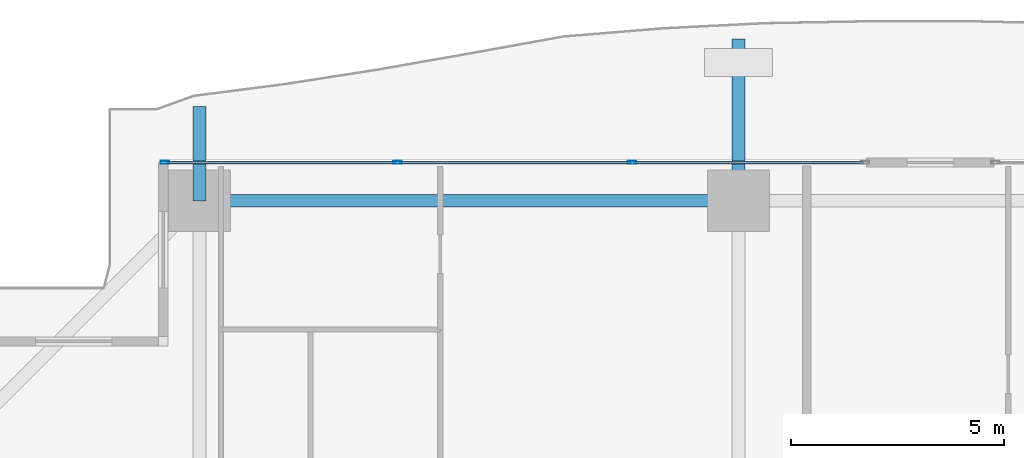
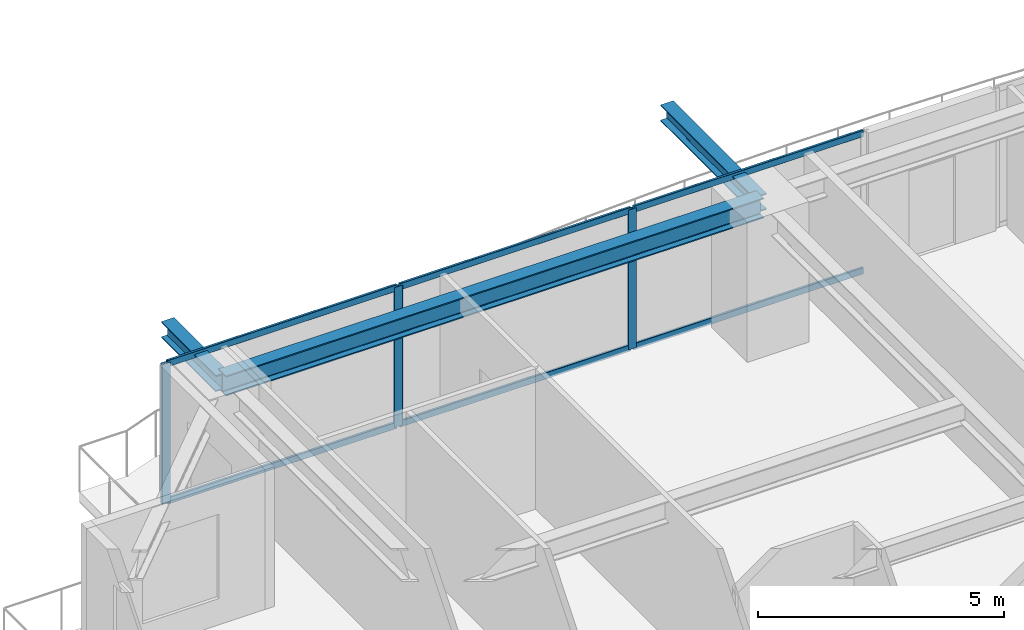
# One storey, part 20 of 38: 9 members, 3 beams, 1 element without a shape of its own.
"""IFC4 building model written with IfcOpenShell, lengths in metres."""

from ifc_helpers import new_model, si_unit, direction, frame, origin, origin_2d, place, context, subcontext, project, spatial, hollow_rectangle, i_section, extrude, source, transform, mapped, material, layer, layer_set, material_profile, profile_set, type_object, element, aggregate, save


model = new_model("IFC4")

# Units and contexts
model_context = context("Model", 3, precision=1e-05, world=origin(), true_north=direction((0.0, 1.0)))
body_context = subcontext(model_context, "Body", "Model", "MODEL_VIEW")
ifc_project = project(units=[si_unit("LENGTHUNIT", "METRE"), si_unit("AREAUNIT", "SQUARE_METRE"), si_unit("VOLUMEUNIT", "CUBIC_METRE"), si_unit("PLANEANGLEUNIT", "RADIAN"), si_unit("MASSUNIT", "GRAM", prefix="KILO")], contexts=[model_context])

# Site, building, storey
site_placement = place(None, origin())
site = spatial("IfcSite", under=ifc_project, at=site_placement, CompositionType="ELEMENT")
building_placement = place(site_placement, origin())
building = spatial("IfcBuilding", under=site, at=building_placement, Name="Serunith Strait Residences", CompositionType="ELEMENT")
storey_placement = place(building_placement, frame((0.0, 0.0, 82.949951171875)))
storey = spatial("IfcBuildingStorey", under=building, at=storey_placement, Name="L20", CompositionType="ELEMENT", Elevation=82.949951171875)

# Beams
ifc_material_1 = material(Name="Steel S355J2", Category="steel")
ifc_material_profile_1 = material_profile(ifc_material_1, i_section(OverallWidth=0.300048828125, OverallDepth=0.5, WebThickness=0.014404296875, FlangeThickness=0.028076171875, FilletRadius=0.027099609375, at=origin_2d()), Name="HEB 500")
ifc_profile_set_1 = profile_set([ifc_material_profile_1], Name="Steel S355J2")
beam_type_1 = type_object("IfcBeamType", Name="BM-HEB500", PredefinedType="BEAM", material=ifc_profile_set_1)
shared_shape_1 = source(origin(), body_context, "Body", "SweptSolid", [
    extrude(i_section(OverallWidth=0.300048828125, OverallDepth=0.5, WebThickness=0.014404296875, FlangeThickness=0.028076171875, FilletRadius=0.027099609375, at=origin_2d()), origin(), (0.0, 0.0, 1.0), 12.64990234375),
])
beam_1_placement = place(storey_placement, frame((27.89990234375, 49.300048828125, 3.237060546875), z_axis=(-1.0, 0.0, 0.0), x_axis=(0.0, -1.0, 0.0)))
element("IfcBeam", 1, at=beam_1_placement, inside=storey, type_object=beam_type_1, Name="L20 Perimeter Ring Beam 11", PredefinedType="BEAM", context=body_context, shape_type="MappedRepresentation", body=[
    mapped(shared_shape_1, transform((0.0, 0.0, 0.0), scale=1.0)),
])
ifc_material_profile_2 = material_profile(ifc_material_1, i_section(OverallWidth=0.300048828125, OverallDepth=0.39990234375, WebThickness=0.013427734375, FlangeThickness=0.02392578125, FilletRadius=0.027099609375, at=origin_2d()), Name="HEB 400")
ifc_profile_set_2 = profile_set([ifc_material_profile_2], Name="Steel S355J2")
beam_type_2 = type_object("IfcBeamType", Name="BM-HEB400", PredefinedType="BEAM", material=ifc_profile_set_2)
shared_shape_2 = source(origin(), body_context, "Body", "SweptSolid", [
    extrude(i_section(OverallWidth=0.300048828125, OverallDepth=0.39990234375, WebThickness=0.013427734375, FlangeThickness=0.02392578125, FilletRadius=0.027099609375, at=origin_2d()), origin(), (0.0, 0.0, 1.0), 3.800048828125),
])
beam_2_placement = place(storey_placement, frame((27.89990234375, 49.300048828125, 3.257080078125), z_axis=(0.0, 1.0, 0.0), x_axis=(-1.0, 0.0, 0.0)))
element("IfcBeam", 2, at=beam_2_placement, inside=storey, type_object=beam_type_2, Name="L21 Cantilevered Balcony Rib TC-N2", PredefinedType="BEAM", context=body_context, shape_type="MappedRepresentation", body=[
    mapped(shared_shape_2, transform((0.0, 0.0, 0.0), scale=1.0)),
])
shared_shape_3 = source(origin(), body_context, "Body", "SweptSolid", [
    extrude(i_section(OverallWidth=0.300048828125, OverallDepth=0.39990234375, WebThickness=0.013427734375, FlangeThickness=0.02392578125, FilletRadius=0.027099609375, at=origin_2d()), origin(), (0.0, 0.0, 1.0), 2.21923828125),
])
beam_3_placement = place(storey_placement, frame((15.25, 49.300048828125, 3.257080078125), z_axis=(0.0, 1.0, 0.0), x_axis=(-1.0, 0.0, 0.0)))
element("IfcBeam", 3, at=beam_3_placement, inside=storey, type_object=beam_type_2, Name="L21 Cantilevered Balcony Rib TC-N1", PredefinedType="BEAM", context=body_context, shape_type="MappedRepresentation", body=[
    mapped(shared_shape_3, transform((0.0, 0.0, 0.0), scale=1.0)),
])

# Curtain wall, members
ifc_material_2 = material(Name="Pale-Champagne Anodised Aluminium", Category="aluminium")
ifc_layer = layer(ifc_material_2, 0.199951171875, Name="Pale-Champagne Anodised Aluminium")
ifc_layer_set = layer_set([ifc_layer], Name="Pale-Champagne Anodised Aluminium")
curtain_wall_type = type_object("IfcCurtainWallType", Name="CW-SYS1", PredefinedType="NOTDEFINED", material=ifc_layer_set)
curtain_wall_placement = place(storey_placement, origin())
curtain_wall = element("IfcCurtainWall", 4, at=curtain_wall_placement, inside=storey, type_object=curtain_wall_type, Name="L20 N Unitised Fritted Curtain Wall", PredefinedType="NOTDEFINED")
ifc_material_profile_3 = material_profile(ifc_material_2, hollow_rectangle(XDim=0.070068359375, YDim=0.199951171875, WallThickness=0.00390625, InnerFilletRadius=0.006103515625, OuterFilletRadius=0.010009765625, at=origin_2d()), Name="ALU 200x70x4")
ifc_profile_set_3 = profile_set([ifc_material_profile_3], Name="Pale-Champagne Anodised Aluminium")
member_type_1 = type_object("IfcMemberType", Name="CW-SYS1-MULL", PredefinedType="MULLION", material=ifc_profile_set_3)
shared_shape_4 = source(origin(), body_context, "Body", "SweptSolid", [
    extrude(hollow_rectangle(XDim=0.070068359375, YDim=0.199951171875, WallThickness=0.00390625, InnerFilletRadius=0.006103515625, OuterFilletRadius=0.010009765625, at=origin_2d()), origin(), (0.0, 0.0, 1.0), 3.47509765625),
])
member_1_placement = place(storey_placement, frame((25.39990234375, 50.199951171875, 0.0), z_axis=(0.0, 0.0, 1.0), x_axis=(0.0, -1.0, 0.0)))
member_1 = element("IfcMember", 5, at=member_1_placement, type_object=member_type_1, Name="CW-1 mullion 2", PredefinedType="MULLION", context=body_context, shape_type="MappedRepresentation", body=[
    mapped(shared_shape_4, transform((0.0, 0.0, 0.0), scale=1.0)),
])
member_2_placement = place(storey_placement, frame((19.89990234375, 50.199951171875, 0.0), z_axis=(0.0, 0.0, 1.0), x_axis=(0.0, -1.0, 0.0)))
member_2 = element("IfcMember", 6, at=member_2_placement, type_object=member_type_1, Name="CW-1 mullion 3", PredefinedType="MULLION", context=body_context, shape_type="MappedRepresentation", body=[
    mapped(shared_shape_4, transform((0.0, 0.0, 0.0), scale=1.0)),
])
member_3_placement = place(storey_placement, frame((14.43505859375, 50.199951171875, 0.0), z_axis=(0.0, 0.0, 1.0), x_axis=(0.0, -1.0, 0.0)))
member_3 = element("IfcMember", 7, at=member_3_placement, type_object=member_type_1, Name="CW-1 mullion 4", PredefinedType="MULLION", context=body_context, shape_type="MappedRepresentation", body=[
    mapped(shared_shape_4, transform((0.0, 0.0, 0.0), scale=1.0)),
])
ifc_material_profile_4 = material_profile(ifc_material_2, hollow_rectangle(XDim=0.06005859375, YDim=0.159912109375, WallThickness=0.00341796875, InnerFilletRadius=0.00537109375, OuterFilletRadius=0.0087890625, at=origin_2d()), Name="ALU 160x60x3.5")
ifc_profile_set_4 = profile_set([ifc_material_profile_4], Name="Pale-Champagne Anodised Aluminium")
member_type_2 = type_object("IfcMemberType", Name="CW-SYS1-TRAN", PredefinedType="USERDEFINED", material=ifc_profile_set_4)
shared_shape_5 = source(origin(), body_context, "Body", "SweptSolid", [
    extrude(hollow_rectangle(XDim=0.06005859375, YDim=0.159912109375, WallThickness=0.00341796875, InnerFilletRadius=0.00537109375, OuterFilletRadius=0.0087890625, at=origin_2d()), origin(), (0.0, 0.0, 1.0), 5.39501953125),
])
member_4_placement = place(storey_placement, frame((30.830078125, 50.199951171875, 0.030029296875), z_axis=(-1.0, 0.0, 0.0), x_axis=(0.0, -1.0, 0.0)))
member_4 = element("IfcMember", 8, at=member_4_placement, type_object=member_type_2, Name="CW-1 transom 1.1", ObjectType="TRANSOM", PredefinedType="USERDEFINED", context=body_context, shape_type="MappedRepresentation", body=[
    mapped(shared_shape_5, transform((0.0, 0.0, 0.0), scale=1.0)),
])
member_5_placement = place(storey_placement, frame((30.830078125, 50.199951171875, 3.445068359375), z_axis=(-1.0, 0.0, 0.0), x_axis=(0.0, -1.0, 0.0)))
member_5 = element("IfcMember", 9, at=member_5_placement, type_object=member_type_2, Name="CW-1 transom 1.2", ObjectType="TRANSOM", PredefinedType="USERDEFINED", context=body_context, shape_type="MappedRepresentation", body=[
    mapped(shared_shape_5, transform((0.0, 0.0, 0.0), scale=1.0)),
])
member_6_placement = place(storey_placement, frame((19.864990234375, 50.199951171875, 0.030029296875), z_axis=(-1.0, 0.0, 0.0), x_axis=(0.0, -1.0, 0.0)))
member_6 = element("IfcMember", 10, at=member_6_placement, type_object=member_type_2, Name="CW-1 transom 3.1", ObjectType="TRANSOM", PredefinedType="USERDEFINED", context=body_context, shape_type="MappedRepresentation", body=[
    mapped(shared_shape_5, transform((0.0, 0.0, 0.0), scale=1.0)),
])
member_7_placement = place(storey_placement, frame((19.864990234375, 50.199951171875, 3.445068359375), z_axis=(-1.0, 0.0, 0.0), x_axis=(0.0, -1.0, 0.0)))
member_7 = element("IfcMember", 11, at=member_7_placement, type_object=member_type_2, Name="CW-1 transom 3.2", ObjectType="TRANSOM", PredefinedType="USERDEFINED", context=body_context, shape_type="MappedRepresentation", body=[
    mapped(shared_shape_5, transform((0.0, 0.0, 0.0), scale=1.0)),
])
shared_shape_6 = source(origin(), body_context, "Body", "SweptSolid", [
    extrude(hollow_rectangle(XDim=0.06005859375, YDim=0.159912109375, WallThickness=0.00341796875, InnerFilletRadius=0.00537109375, OuterFilletRadius=0.0087890625, at=origin_2d()), origin(), (0.0, 0.0, 1.0), 5.429931640625),
])
member_8_placement = place(storey_placement, frame((25.364990234375, 50.199951171875, 0.030029296875), z_axis=(-1.0, 0.0, 0.0), x_axis=(0.0, -1.0, 0.0)))
member_8 = element("IfcMember", 12, at=member_8_placement, type_object=member_type_2, Name="CW-1 transom 2.1", ObjectType="TRANSOM", PredefinedType="USERDEFINED", context=body_context, shape_type="MappedRepresentation", body=[
    mapped(shared_shape_6, transform((0.0, 0.0, 0.0), scale=1.0)),
])
member_9_placement = place(storey_placement, frame((25.364990234375, 50.199951171875, 3.445068359375), z_axis=(-1.0, 0.0, 0.0), x_axis=(0.0, -1.0, 0.0)))
member_9 = element("IfcMember", 13, at=member_9_placement, type_object=member_type_2, Name="CW-1 transom 2.2", ObjectType="TRANSOM", PredefinedType="USERDEFINED", context=body_context, shape_type="MappedRepresentation", body=[
    mapped(shared_shape_6, transform((0.0, 0.0, 0.0), scale=1.0)),
])
aggregate(curtain_wall, [member_1, member_2, member_3, member_4, member_5, member_8, member_9, member_6, member_7])

save(model, "model.ifc")
